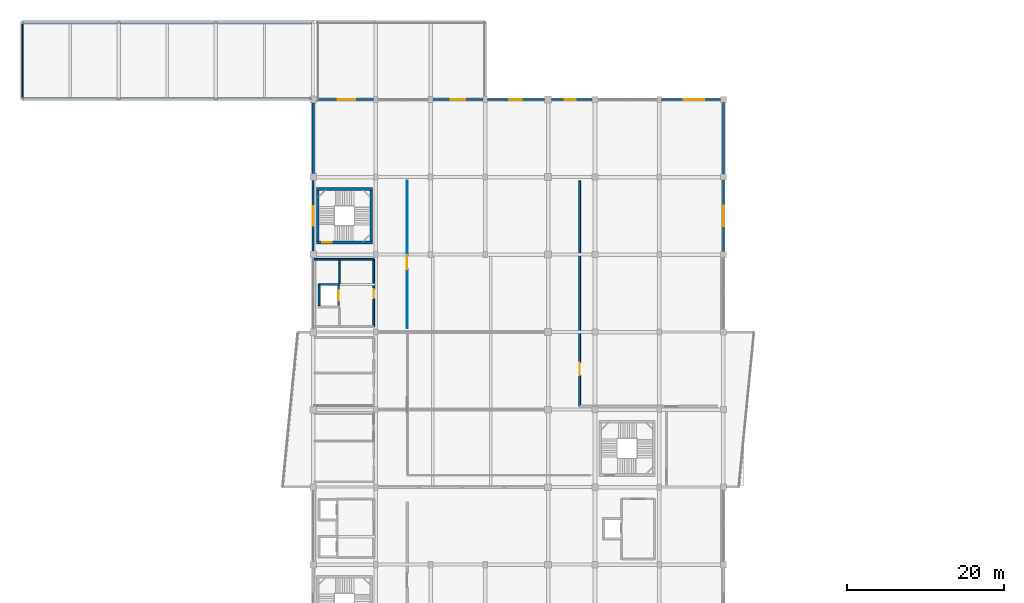
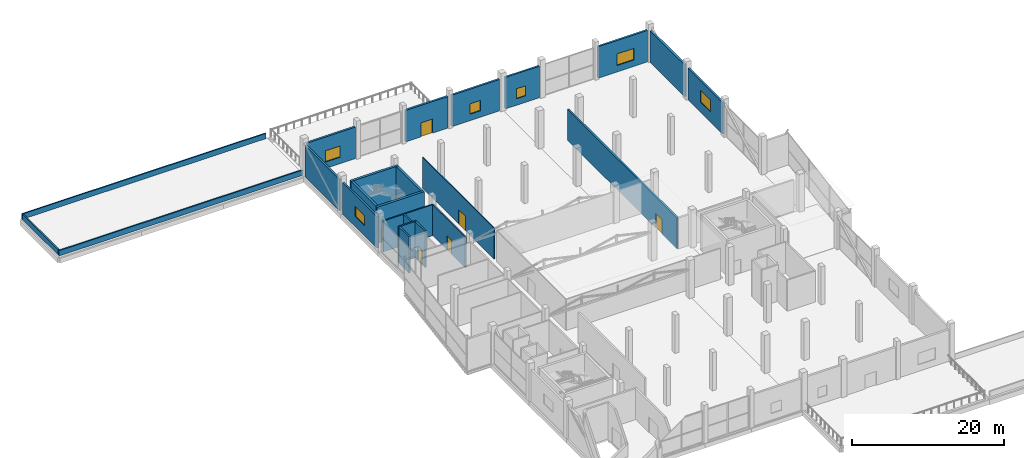
# One storey, part 41 of 58: 24 walls, 6 doors, 6 windows, 12 openings.
"""IFC4 building model written with IfcOpenShell, lengths in metres."""

from ifc_helpers import new_model, si_unit, direction, frame, frame_2d, origin, place, context, subcontext, project, spatial, rectangle, extrude, material, layer, layer_set, type_object, element, fill, save


model = new_model("IFC4")

# Units and contexts
model_context = context("Model", 3, precision=1e-05, world=origin(), true_north=direction((0.0, 1.0)))
body_context = subcontext(model_context, "Body", "Model", "MODEL_VIEW")
ifc_project = project(units=[si_unit("LENGTHUNIT", "METRE"), si_unit("AREAUNIT", "SQUARE_METRE"), si_unit("VOLUMEUNIT", "CUBIC_METRE"), si_unit("PLANEANGLEUNIT", "RADIAN"), si_unit("MASSUNIT", "GRAM", prefix="KILO")], contexts=[model_context])

# Site, building, storey
site_placement = place(None, origin())
site = spatial("IfcSite", under=ifc_project, at=site_placement, CompositionType="ELEMENT")
building_placement = place(site_placement, origin())
building = spatial("IfcBuilding", under=site, at=building_placement, Name="Sillaruma Civic Art Gallery", CompositionType="ELEMENT")
storey_placement = place(building_placement, frame((0.0, 0.0, 22.43994140625)))
storey = spatial("IfcBuildingStorey", under=building, at=storey_placement, Name="L04", CompositionType="ELEMENT", Elevation=22.43994140625)

# Wall, opening, door
ifc_material_1 = material(Name="Concrete H40 (40 MPa)", Category="concrete")
ifc_layer_1 = layer(ifc_material_1, 0.35009765625, Name="Concrete H40 (40 MPa)")
ifc_layer_set_1 = layer_set([ifc_layer_1], Name="Concrete H40 (40 MPa)")
wall_type_1 = type_object("IfcWallType", Name="WAL-CORE-350", PredefinedType="SHEAR", material=ifc_layer_set_1)
wall_1_placement = place(storey_placement, frame((62.409912109375, 80.735107421875, 0.0), z_axis=(0.0, 0.0, 1.0), x_axis=(1.0, 0.0, 0.0)))
wall_1 = element("IfcWall", 1, at=wall_1_placement, inside=storey, type_object=wall_type_1, Name="Stair Core Shear Wall W-CORE-350 (ST-02:L04:S)", PredefinedType="SHEAR", context=body_context, shape_type="SweptSolid", body=[
    extrude(rectangle(XDim=7.18017578125, YDim=0.35009765625, at=frame_2d((3.590087890625, 0.0))), origin(), (0.0, 0.0, 1.0), 5.840087890625),
])
opening_1_placement = place(wall_1_placement, frame((0.77001953125, 0.0, 0.0)))
opening_1 = element("IfcOpeningElement", 2, at=opening_1_placement, cuts=wall_1, Name="Opening D-STAIR", PredefinedType="OPENING", context=body_context, shape_type="SweptSolid", body=[
    extrude(rectangle(XDim=1.199951171875, YDim=2.199951171875, at=frame_2d((0.60009765625, 1.10009765625))), frame((0.0, 0.18505859375, 0.0), z_axis=(0.0, -1.0, 0.0), x_axis=(1.0, 0.0, 0.0)), (0.0, 0.0, 1.0), 0.3701171875),
])
ifc_material_2 = material(Name="Galvanised Steel ASTM A653 Gr.50", Category="steel")
door_type_1 = type_object("IfcDoorType", Name="DOR-STAIR-120", OperationType="NOTDEFINED", PredefinedType="DOOR", material=ifc_material_2)
door_1_placement = place(opening_1_placement, origin())
door_1 = element("IfcDoor", 3, at=door_1_placement, inside=storey, type_object=door_type_1, Name="Protected Stair Fire Door (ST-02:L04)", OperationType="SINGLE_SWING_RIGHT", OverallHeight=2.199951171875, OverallWidth=1.199951171875, PredefinedType="DOOR", context=body_context, shape_type="SweptSolid", body=[
    extrude(rectangle(XDim=1.199951171875, YDim=2.199951171875, at=frame_2d((0.60009765625, 1.10009765625))), frame((0.0, 0.02490234375, 0.0), z_axis=(0.0, -1.0, 0.0), x_axis=(1.0, 0.0, 0.0)), (0.0, 0.0, 1.0), 0.050048828125),
])
fill(opening_1, door_1)

# Walls
wall_2_placement = place(storey_placement, frame((62.409912109375, 87.56494140625, 0.0), z_axis=(0.0, 0.0, 1.0), x_axis=(1.0, 0.0, 0.0)))
element("IfcWall", 4, at=wall_2_placement, inside=storey, type_object=wall_type_1, Name="Stair Core Shear Wall W-CORE-350 (ST-02:L04:N)", PredefinedType="SHEAR", context=body_context, shape_type="SweptSolid", body=[
    extrude(rectangle(XDim=7.18017578125, YDim=0.35009765625, at=frame_2d((3.590087890625, 0.0))), origin(), (0.0, 0.0, 1.0), 5.840087890625),
])
for number, where, z_axis, x_axis, name in (
    (5, (62.5849609375, 80.909912109375, 0.0), (0.0, 0.0, 1.0), (0.0, 1.0, 0.0), "Stair Core Shear Wall W-CORE-350 (ST-02:L04:W)"),
    (6, (69.4150390625, 80.909912109375, 0.0), (0.0, 0.0, 1.0), (0.0, 1.0, 0.0), "Stair Core Shear Wall W-CORE-350 (ST-02:L04:E)"),
):
    element("IfcWall", number, at=place(storey_placement, frame(where, z_axis=z_axis, x_axis=x_axis)), inside=storey, type_object=wall_type_1, Name=name, PredefinedType="SHEAR", context=body_context, shape_type="SweptSolid", body=[
        extrude(rectangle(XDim=6.47998046875, YDim=0.35009765625, at=frame_2d((3.239990234375, 0.0))), origin(), (0.0, 0.0, 1.0), 5.840087890625),
    ])

# Wall, opening, window
ifc_material_3 = material(Name="Concrete H35 (35 MPa)", Category="concrete")
ifc_layer_2 = layer(ifc_material_3, 0.159912109375, Name="Concrete backup", Category="concrete")
ifc_material_4 = material(Name="Mineral Wool Thermal Insulation", Category="insulation")
ifc_layer_3 = layer(ifc_material_4, 0.090087890625, Name="Thermal insulation", Category="insulation")
ifc_material_5 = material(Name="Anodised Zinc-Aluminium Alloy", Category="aluminium")
ifc_layer_4 = layer(ifc_material_5, 0.030029296875, Name="Rainscreen finish", Category="aluminium")
ifc_layer_set_2 = layer_set([ifc_layer_2, ifc_layer_3, ifc_layer_4], Name="W-EXT-280")
wall_type_2 = type_object("IfcWallType", Name="WAL-EXT-280", PredefinedType="SOLIDWALL", material=ifc_layer_set_2)
wall_3_placement = place(storey_placement, frame((62.0, 79.625, 0.0), z_axis=(0.0, 0.0, 1.0), x_axis=(0.0, 1.0, 0.0)))
wall_3 = element("IfcWall", 7, at=wall_3_placement, inside=storey, type_object=wall_type_2, Name="Exterior Wall W-EXT-280 (EW-L04-W-7)", PredefinedType="SOLIDWALL", context=body_context, shape_type="SweptSolid", body=[
    extrude(rectangle(XDim=9.050048828125, YDim=0.280029296875, at=frame_2d((4.52490234375, 0.0))), origin(), (0.0, 0.0, 1.0), 5.06005859375),
])
opening_2_placement = place(wall_3_placement, frame((3.25, 0.0, 1.64990234375)))
opening_2 = element("IfcOpeningElement", 8, at=opening_2_placement, cuts=wall_3, Name="Opening WN-11", PredefinedType="OPENING", context=body_context, shape_type="SweptSolid", body=[
    extrude(rectangle(XDim=2.5, YDim=1.60009765625, at=frame_2d((1.25, 0.800048828125))), frame((0.0, 0.14990234375, 0.0), z_axis=(0.0, -1.0, 0.0), x_axis=(1.0, 0.0, 0.0)), (0.0, 0.0, 1.0), 0.300048828125),
])
ifc_material_6 = material(Name="Thermally Broken Extruded Aluminium 6063-T6", Category="aluminium")
window_type_1 = type_object("IfcWindowType", Name="WIN-W11", PartitioningType="SINGLE_PANEL", PredefinedType="WINDOW", material=ifc_material_6)
window_1_placement = place(opening_2_placement, origin())
window_1 = element("IfcWindow", 9, at=window_1_placement, inside=storey, type_object=window_type_1, Name="Window WN-11 (EW-L04-W-7-1)", OverallHeight=1.60009765625, OverallWidth=2.5, PartitioningType="SINGLE_PANEL", PredefinedType="WINDOW", context=body_context, shape_type="SweptSolid", body=[
    extrude(rectangle(XDim=2.5, YDim=1.60009765625, at=frame_2d((1.25, 0.800048828125))), frame((0.0, 0.030029296875, 0.0), z_axis=(0.0, -1.0, 0.0), x_axis=(1.0, 0.0, 0.0)), (0.0, 0.0, 1.0), 0.06005859375),
])
fill(opening_2, window_1)

wall_4_placement = place(storey_placement, frame((114.39990234375, 79.60009765625, 0.0), z_axis=(0.0, 0.0, 1.0), x_axis=(0.0, 1.0, 0.0)))
wall_4 = element("IfcWall", 10, at=wall_4_placement, inside=storey, type_object=wall_type_2, Name="Exterior Wall W-EXT-280 (EW-L04-E-7)", PredefinedType="SOLIDWALL", context=body_context, shape_type="SweptSolid", body=[
    extrude(rectangle(XDim=9.099853515625, YDim=0.280029296875, at=frame_2d((4.5498046875, 0.0))), origin(), (0.0, 0.0, 1.0), 5.06005859375),
])
opening_3_placement = place(wall_4_placement, frame((3.199951171875, 0.0, 1.64990234375)))
opening_3 = element("IfcOpeningElement", 11, at=opening_3_placement, cuts=wall_4, Name="Opening WN-08", PredefinedType="OPENING", context=body_context, shape_type="SweptSolid", body=[
    extrude(rectangle(XDim=2.60009765625, YDim=1.85009765625, at=frame_2d((1.300048828125, 0.925048828125))), frame((0.0, 0.14990234375, 0.0), z_axis=(0.0, -1.0, 0.0), x_axis=(1.0, 0.0, 0.0)), (0.0, 0.0, 1.0), 0.300048828125),
])
window_type_2 = type_object("IfcWindowType", Name="WIN-W08", PartitioningType="SINGLE_PANEL", PredefinedType="WINDOW", material=ifc_material_6)
window_2_placement = place(opening_3_placement, origin())
window_2 = element("IfcWindow", 12, at=window_2_placement, inside=storey, type_object=window_type_2, Name="Window WN-08 (EW-L04-E-7-1)", OverallHeight=1.85009765625, OverallWidth=2.60009765625, PartitioningType="SINGLE_PANEL", PredefinedType="WINDOW", context=body_context, shape_type="SweptSolid", body=[
    extrude(rectangle(XDim=2.60009765625, YDim=1.85009765625, at=frame_2d((1.300048828125, 0.925048828125))), frame((0.0, 0.030029296875, 0.0), z_axis=(0.0, -1.0, 0.0), x_axis=(1.0, 0.0, 0.0)), (0.0, 0.0, 1.0), 0.06005859375),
])
fill(opening_3, window_2)

ifc_layer_5 = layer(ifc_material_3, 0.169921875, Name="Concrete backup", Category="concrete")
ifc_layer_6 = layer(ifc_material_4, 0.090087890625, Name="Thermal insulation", Category="insulation")
ifc_layer_7 = layer(ifc_material_5, 0.030029296875, Name="Rainscreen finish", Category="aluminium")
ifc_layer_set_3 = layer_set([ifc_layer_5, ifc_layer_6, ifc_layer_7], Name="W-EXT-290")
wall_type_3 = type_object("IfcWallType", Name="WAL-EXT-290", PredefinedType="SOLIDWALL", material=ifc_layer_set_3)
wall_5_placement = place(storey_placement, frame((62.425048828125, 99.0, 0.0), z_axis=(0.0, 0.0, 1.0), x_axis=(1.0, 0.0, 0.0)))
wall_5 = element("IfcWall", 13, at=wall_5_placement, inside=storey, type_object=wall_type_3, Name="Exterior Wall W-EXT-290 (EW-L04-N-1)", PredefinedType="SOLIDWALL", context=body_context, shape_type="SweptSolid", body=[
    extrude(rectangle(XDim=7.27490234375, YDim=0.2900390625, at=frame_2d((3.637451171875, 0.0))), origin(), (0.0, 0.0, 1.0), 5.06005859375),
])
opening_4_placement = place(wall_5_placement, frame((2.738037109375, 0.0, 1.050048828125)))
opening_4 = element("IfcOpeningElement", 14, at=opening_4_placement, cuts=wall_5, Name="Opening WN-02", PredefinedType="OPENING", context=body_context, shape_type="SweptSolid", body=[
    extrude(rectangle(XDim=2.199951171875, YDim=1.800048828125, at=frame_2d((1.10009765625, 0.89990234375))), frame((0.0, 0.155029296875, 0.0), z_axis=(0.0, -1.0, 0.0), x_axis=(1.0, 0.0, 0.0)), (0.0, 0.0, 1.0), 0.31005859375),
])
window_type_3 = type_object("IfcWindowType", Name="WIN-W02", PartitioningType="SINGLE_PANEL", PredefinedType="WINDOW", material=ifc_material_6)
window_3_placement = place(opening_4_placement, origin())
window_3 = element("IfcWindow", 15, at=window_3_placement, inside=storey, type_object=window_type_3, Name="Window WN-02 (EW-L04-N-1-1)", OverallHeight=1.800048828125, OverallWidth=2.199951171875, PartitioningType="SINGLE_PANEL", PredefinedType="WINDOW", context=body_context, shape_type="SweptSolid", body=[
    extrude(rectangle(XDim=2.199951171875, YDim=1.800048828125, at=frame_2d((1.10009765625, 0.89990234375))), frame((0.0, 0.030029296875, 0.0), z_axis=(0.0, -1.0, 0.0), x_axis=(1.0, 0.0, 0.0)), (0.0, 0.0, 1.0), 0.06005859375),
])
fill(opening_4, window_3)

wall_6_placement = place(storey_placement, frame((84.300048828125, 99.0, 0.0), z_axis=(0.0, 0.0, 1.0), x_axis=(1.0, 0.0, 0.0)))
wall_6 = element("IfcWall", 16, at=wall_6_placement, inside=storey, type_object=wall_type_3, Name="Exterior Wall W-EXT-290 (EW-L04-N-4)", PredefinedType="SOLIDWALL", context=body_context, shape_type="SweptSolid", body=[
    extrude(rectangle(XDim=7.27490234375, YDim=0.2900390625, at=frame_2d((3.637451171875, 0.0))), origin(), (0.0, 0.0, 1.0), 5.06005859375),
])
opening_5_placement = place(wall_6_placement, frame((2.738037109375, 0.0, 1.050048828125)))
opening_5 = element("IfcOpeningElement", 17, at=opening_5_placement, cuts=wall_6, Name="Opening WN-05", PredefinedType="OPENING", context=body_context, shape_type="SweptSolid", body=[
    extrude(rectangle(XDim=1.60009765625, YDim=1.64990234375, at=frame_2d((0.800048828125, 0.824951171875))), frame((0.0, 0.155029296875, 0.0), z_axis=(0.0, -1.0, 0.0), x_axis=(1.0, 0.0, 0.0)), (0.0, 0.0, 1.0), 0.31005859375),
])
window_type_4 = type_object("IfcWindowType", Name="WIN-W05", PartitioningType="SINGLE_PANEL", PredefinedType="WINDOW", material=ifc_material_6)
window_4_placement = place(opening_5_placement, origin())
window_4 = element("IfcWindow", 18, at=window_4_placement, inside=storey, type_object=window_type_4, Name="Window WN-05 (EW-L04-N-4-1)", OverallHeight=1.64990234375, OverallWidth=1.60009765625, PartitioningType="SINGLE_PANEL", PredefinedType="WINDOW", context=body_context, shape_type="SweptSolid", body=[
    extrude(rectangle(XDim=1.60009765625, YDim=1.64990234375, at=frame_2d((0.800048828125, 0.824951171875))), frame((0.0, 0.030029296875, 0.0), z_axis=(0.0, -1.0, 0.0), x_axis=(1.0, 0.0, 0.0)), (0.0, 0.0, 1.0), 0.06005859375),
])
fill(opening_5, window_4)

wall_7_placement = place(storey_placement, frame((92.425048828125, 99.0, 0.0), z_axis=(0.0, 0.0, 1.0), x_axis=(1.0, 0.0, 0.0)))
wall_7 = element("IfcWall", 19, at=wall_7_placement, inside=storey, type_object=wall_type_3, Name="Exterior Wall W-EXT-290 (EW-L04-N-5)", PredefinedType="SOLIDWALL", context=body_context, shape_type="SweptSolid", body=[
    extrude(rectangle(XDim=5.175048828125, YDim=0.2900390625, at=frame_2d((2.58740234375, 0.0))), origin(), (0.0, 0.0, 1.0), 5.06005859375),
])
opening_6_placement = place(wall_7_placement, frame((1.68798828125, 0.0, 1.050048828125)))
opening_6 = element("IfcOpeningElement", 20, at=opening_6_placement, cuts=wall_7, Name="Opening WN-06", PredefinedType="OPENING", context=body_context, shape_type="SweptSolid", body=[
    extrude(rectangle(XDim=1.39990234375, YDim=1.60009765625, at=frame_2d((0.699951171875, 0.800048828125))), frame((0.0, 0.155029296875, 0.0), z_axis=(0.0, -1.0, 0.0), x_axis=(1.0, 0.0, 0.0)), (0.0, 0.0, 1.0), 0.31005859375),
])
window_type_5 = type_object("IfcWindowType", Name="WIN-W06", PartitioningType="SINGLE_PANEL", PredefinedType="WINDOW", material=ifc_material_6)
window_5_placement = place(opening_6_placement, origin())
window_5 = element("IfcWindow", 21, at=window_5_placement, inside=storey, type_object=window_type_5, Name="Window WN-06 (EW-L04-N-5-1)", OverallHeight=1.60009765625, OverallWidth=1.39990234375, PartitioningType="SINGLE_PANEL", PredefinedType="WINDOW", context=body_context, shape_type="SweptSolid", body=[
    extrude(rectangle(XDim=1.39990234375, YDim=1.60009765625, at=frame_2d((0.699951171875, 0.800048828125))), frame((0.0, 0.030029296875, 0.0), z_axis=(0.0, -1.0, 0.0), x_axis=(1.0, 0.0, 0.0)), (0.0, 0.0, 1.0), 0.06005859375),
])
fill(opening_6, window_5)

wall_8_placement = place(storey_placement, frame((106.5, 99.0, 0.0), z_axis=(0.0, 0.0, 1.0), x_axis=(1.0, 0.0, 0.0)))
wall_8 = element("IfcWall", 22, at=wall_8_placement, inside=storey, type_object=wall_type_3, Name="Exterior Wall W-EXT-290 (EW-L04-N-7)", PredefinedType="SOLIDWALL", context=body_context, shape_type="SweptSolid", body=[
    extrude(rectangle(XDim=7.5, YDim=0.2900390625, at=frame_2d((3.75, 0.0))), origin(), (0.0, 0.0, 1.0), 5.06005859375),
])
opening_7_placement = place(wall_8_placement, frame((2.85009765625, 0.0, 1.050048828125)))
opening_7 = element("IfcOpeningElement", 23, at=opening_7_placement, cuts=wall_8, Name="Opening WN-08", PredefinedType="OPENING", context=body_context, shape_type="SweptSolid", body=[
    extrude(rectangle(XDim=2.60009765625, YDim=1.85009765625, at=frame_2d((1.300048828125, 0.925048828125))), frame((0.0, 0.155029296875, 0.0), z_axis=(0.0, -1.0, 0.0), x_axis=(1.0, 0.0, 0.0)), (0.0, 0.0, 1.0), 0.31005859375),
])
window_6_placement = place(opening_7_placement, origin())
window_6 = element("IfcWindow", 24, at=window_6_placement, inside=storey, type_object=window_type_2, Name="Window WN-08 (EW-L04-N-7-1)", OverallHeight=1.85009765625, OverallWidth=2.60009765625, PartitioningType="SINGLE_PANEL", PredefinedType="WINDOW", context=body_context, shape_type="SweptSolid", body=[
    extrude(rectangle(XDim=2.60009765625, YDim=1.85009765625, at=frame_2d((1.300048828125, 0.925048828125))), frame((0.0, 0.030029296875, 0.0), z_axis=(0.0, -1.0, 0.0), x_axis=(1.0, 0.0, 0.0)), (0.0, 0.0, 1.0), 0.06005859375),
])
fill(opening_7, window_6)

# Walls
ifc_material_7 = material(Name="Precast Concrete H35 (35 MPa)", Category="concrete")
ifc_layer_8 = layer(ifc_material_7, 0.179931640625, Name="Precast backup", Category="concrete")
ifc_layer_9 = layer(ifc_material_4, 0.090087890625, Name="Thermal insulation", Category="insulation")
ifc_material_8 = material(Name="Comanche Granitic Ashlar Stone", Category="masonry")
ifc_layer_10 = layer(ifc_material_8, 0.030029296875, Name="Rainscreen cladding", Category="masonry")
ifc_layer_set_4 = layer_set([ifc_layer_8, ifc_layer_9, ifc_layer_10], Name="W-EXT-300")
wall_type_4 = type_object("IfcWallType", Name="WAL-EXT-300", PredefinedType="SOLIDWALL", material=ifc_layer_set_4)
wall_9_placement = place(storey_placement, frame((62.0, 89.52490234375, 0.0), z_axis=(0.0, 0.0, 1.0), x_axis=(0.0, 1.0, 0.0)))
element("IfcWall", 25, at=wall_9_placement, inside=storey, type_object=wall_type_4, Name="Exterior Wall W-EXT-300 (EW-L04-W-8)", PredefinedType="SOLIDWALL", context=body_context, shape_type="SweptSolid", body=[
    extrude(rectangle(XDim=9.050048828125, YDim=0.300048828125, at=frame_2d((4.52490234375, 0.0))), origin(), (0.0, 0.0, 1.0), 5.06005859375),
])
wall_10_placement = place(storey_placement, frame((114.39990234375, 89.5, 0.0), z_axis=(0.0, 0.0, 1.0), x_axis=(0.0, 1.0, 0.0)))
element("IfcWall", 26, at=wall_10_placement, inside=storey, type_object=wall_type_4, Name="Exterior Wall W-EXT-300 (EW-L04-E-8)", PredefinedType="SOLIDWALL", context=body_context, shape_type="SweptSolid", body=[
    extrude(rectangle(XDim=9.10009765625, YDim=0.300048828125, at=frame_2d((4.550048828125, 0.0))), origin(), (0.0, 0.0, 1.0), 5.06005859375),
])

# Wall, opening, door
wall_11_placement = place(storey_placement, frame((77.300048828125, 99.0, 0.0), z_axis=(0.0, 0.0, 1.0), x_axis=(1.0, 0.0, 0.0)))
wall_11 = element("IfcWall", 27, at=wall_11_placement, inside=storey, type_object=wall_type_4, Name="Exterior Wall W-EXT-300 (EW-L04-N-3)", PredefinedType="SOLIDWALL", context=body_context, shape_type="SweptSolid", body=[
    extrude(rectangle(XDim=6.39990234375, YDim=0.300048828125, at=frame_2d((3.199951171875, 0.0))), origin(), (0.0, 0.0, 1.0), 5.06005859375),
])
opening_8_placement = place(wall_11_placement, frame((2.300048828125, 0.0, 0.0)))
opening_8 = element("IfcOpeningElement", 28, at=opening_8_placement, cuts=wall_11, Name="Opening D-TER1", PredefinedType="OPENING", context=body_context, shape_type="SweptSolid", body=[
    extrude(rectangle(XDim=1.800048828125, YDim=2.25, at=frame_2d((0.89990234375, 1.125))), frame((0.0, 0.159912109375, 0.0), z_axis=(0.0, -1.0, 0.0), x_axis=(1.0, 0.0, 0.0)), (0.0, 0.0, 1.0), 0.320068359375),
])
door_type_2 = type_object("IfcDoorType", Name="DOR-TER-180", OperationType="NOTDEFINED", PredefinedType="DOOR", material=ifc_material_6)
door_2_placement = place(opening_8_placement, origin())
door_2 = element("IfcDoor", 29, at=door_2_placement, inside=storey, type_object=door_type_2, Name="L04 North Sculpture Terrace Door", OperationType="DOUBLE_DOOR_SINGLE_SWING", OverallHeight=2.25, OverallWidth=1.800048828125, PredefinedType="DOOR", context=body_context, shape_type="SweptSolid", body=[
    extrude(rectangle(XDim=1.800048828125, YDim=2.25, at=frame_2d((0.89990234375, 1.125))), frame((0.0, 0.02490234375, 0.0), z_axis=(0.0, -1.0, 0.0), x_axis=(1.0, 0.0, 0.0)), (0.0, 0.0, 1.0), 0.050048828125),
])
fill(opening_8, door_2)

# Walls
ifc_material_9 = material(Name="Concrete Masonry Unit Grade M15", Category="masonry")
ifc_layer_11 = layer(ifc_material_9, 0.199951171875, Name="Concrete Masonry Unit Grade M15")
ifc_layer_set_5 = layer_set([ifc_layer_11], Name="Concrete Masonry Unit Grade M15")
wall_type_5 = type_object("IfcWallType", Name="WAL-LOBBY-200", PredefinedType="SOLIDWALL", material=ifc_layer_set_5)
wall_12_placement = place(storey_placement, frame((62.14990234375, 78.60009765625, 0.0), z_axis=(0.0, 0.0, 1.0), x_axis=(1.0, 0.0, 0.0)))
element("IfcWall", 30, at=wall_12_placement, inside=storey, type_object=wall_type_5, Name="Interior Wall W-LOBBY-200 (L04-FFL)", PredefinedType="SOLIDWALL", context=body_context, shape_type="SweptSolid", body=[
    extrude(rectangle(XDim=7.60009765625, YDim=0.199951171875, at=frame_2d((3.800048828125, 0.0))), origin(), (0.0, 0.0, 1.0), 4.9599609375),
])
wall_13_placement = place(storey_placement, frame((65.35009765625, 75.5, 0.0), z_axis=(0.0, 0.0, 1.0), x_axis=(0.0, 1.0, 0.0)))
element("IfcWall", 31, at=wall_13_placement, inside=storey, type_object=wall_type_5, Name="Interior Wall W-LOBBY-200 (L04-FFL)", PredefinedType="SOLIDWALL", context=body_context, shape_type="SweptSolid", body=[
    extrude(rectangle(XDim=3.10009765625, YDim=0.199951171875, at=frame_2d((1.550048828125, 0.0))), origin(), (0.0, 0.0, 1.0), 4.9599609375),
])

# Wall, opening, door
wall_14_placement = place(storey_placement, frame((69.75, 70.0, 0.0), z_axis=(0.0, 0.0, 1.0), x_axis=(0.0, 1.0, 0.0)))
wall_14 = element("IfcWall", 32, at=wall_14_placement, inside=storey, type_object=wall_type_5, Name="Interior Wall W-LOBBY-200 (L04-FFL)", PredefinedType="SOLIDWALL", context=body_context, shape_type="SweptSolid", body=[
    extrude(rectangle(XDim=8.60009765625, YDim=0.199951171875, at=frame_2d((4.300048828125, 0.0))), origin(), (0.0, 0.0, 1.0), 4.9599609375),
])
opening_9_placement = place(wall_14_placement, frame((3.60009765625, 0.0, 0.0)))
opening_9 = element("IfcOpeningElement", 33, at=opening_9_placement, cuts=wall_14, Name="Opening D-FFL", PredefinedType="OPENING", context=body_context, shape_type="SweptSolid", body=[
    extrude(rectangle(XDim=1.199951171875, YDim=2.25, at=frame_2d((0.60009765625, 1.125))), frame((0.0, 0.10986328125, 0.0), z_axis=(0.0, -1.0, 0.0), x_axis=(1.0, 0.0, 0.0)), (0.0, 0.0, 1.0), 0.219970703125),
])
door_type_3 = type_object("IfcDoorType", Name="DOR-FFL-120", OperationType="NOTDEFINED", PredefinedType="DOOR", material=ifc_material_2)
door_3_placement = place(opening_9_placement, origin())
door_3 = element("IfcDoor", 34, at=door_3_placement, inside=storey, type_object=door_type_3, Name="Firefighting Lobby Door (D-FFL)", OperationType="SINGLE_SWING_LEFT", OverallHeight=2.25, OverallWidth=1.199951171875, PredefinedType="DOOR", context=body_context, shape_type="SweptSolid", body=[
    extrude(rectangle(XDim=1.199951171875, YDim=2.25, at=frame_2d((0.60009765625, 1.125))), frame((0.0, 0.02490234375, 0.0), z_axis=(0.0, -1.0, 0.0), x_axis=(1.0, 0.0, 0.0)), (0.0, 0.0, 1.0), 0.050048828125),
])
fill(opening_9, door_3)

# Walls
ifc_layer_12 = layer(ifc_material_3, 0.199951171875, Name="Concrete H35 (35 MPa)")
ifc_layer_set_6 = layer_set([ifc_layer_12], Name="Concrete H35 (35 MPa)")
wall_type_6 = type_object("IfcWallType", Name="WAL-PAR-200", PredefinedType="PARAPET", material=ifc_layer_set_6)
for number, where, z_axis, x_axis, name in (
    (35, (24.800048828125, 108.800048828125, 0.0), (0.0, 0.0, 1.0), (1.0, 0.0, 0.0), "Roof Parapet (L04-HH1-N)"),
    (36, (24.800048828125, 99.10009765625, 0.0), (0.0, 0.0, 1.0), (1.0, 0.0, 0.0), "Roof Parapet (L04-HH1-S)"),
):
    element("IfcWall", number, at=place(storey_placement, frame(where, z_axis=z_axis, x_axis=x_axis)), inside=storey, type_object=wall_type_6, Name=name, PredefinedType="PARAPET", context=body_context, shape_type="SweptSolid", body=[
        extrude(rectangle(XDim=37.0, YDim=0.199951171875, at=frame_2d((18.5, 0.0))), origin(), (0.0, 0.0, 1.0), 0.85009765625),
    ])
wall_15_placement = place(storey_placement, frame((24.89990234375, 99.300048828125, 0.0), z_axis=(0.0, 0.0, 1.0), x_axis=(0.0, 1.0, 0.0)))
element("IfcWall", 37, at=wall_15_placement, inside=storey, type_object=wall_type_6, Name="Roof Parapet (L04-HH1-W)", PredefinedType="PARAPET", context=body_context, shape_type="SweptSolid", body=[
    extrude(rectangle(XDim=9.300048828125, YDim=0.199951171875, at=frame_2d((4.64990234375, 0.0))), origin(), (0.0, 0.0, 1.0), 0.85009765625),
])

# Wall, opening, door
ifc_material_10 = material(Name="Gypsum Acoustic Board", Category="gypsum")
ifc_layer_13 = layer(ifc_material_10, 0.02490234375, Name="Finish board", Category="gypsum")
ifc_layer_14 = layer(ifc_material_4, 0.070068359375, Name="Acoustic core", Category="insulation")
ifc_material_11 = material(Name="Andean Oak Timber", Category="wood")
ifc_layer_15 = layer(ifc_material_11, 0.02490234375, Name="Gallery lining", Category="wood")
ifc_layer_set_7 = layer_set([ifc_layer_13, ifc_layer_14, ifc_layer_15], Name="W-PT-120")
wall_type_7 = type_object("IfcWallType", Name="WAL-PART-120", PredefinedType="PARTITIONING", material=ifc_layer_set_7)
wall_16_placement = place(storey_placement, frame((74.0, 69.800048828125, 0.0), z_axis=(0.0, 0.0, 1.0), x_axis=(0.0, 1.0, 0.0)))
wall_16 = element("IfcWall", 38, at=wall_16_placement, inside=storey, type_object=wall_type_7, Name="Interior Wall W-PT-120 (L04-CNS41)", PredefinedType="PARTITIONING", context=body_context, shape_type="SweptSolid", body=[
    extrude(rectangle(XDim=18.800048828125, YDim=0.1201171875, at=frame_2d((9.39990234375, 0.0))), origin(), (0.0, 0.0, 1.0), 4.9599609375),
])
opening_10_placement = place(wall_16_placement, frame((7.5, 0.0, 0.0)))
opening_10 = element("IfcOpeningElement", 39, at=opening_10_placement, cuts=wall_16, Name="Opening D-INT18", PredefinedType="OPENING", context=body_context, shape_type="SweptSolid", body=[
    extrude(rectangle(XDim=1.800048828125, YDim=2.300048828125, at=frame_2d((0.89990234375, 1.14990234375))), frame((0.0, 0.070068359375, 0.0), z_axis=(0.0, -1.0, 0.0), x_axis=(1.0, 0.0, 0.0)), (0.0, 0.0, 1.0), 0.14013671875),
])
door_type_4 = type_object("IfcDoorType", Name="DOR-INT-180", OperationType="NOTDEFINED", PredefinedType="DOOR", material=ifc_material_11)
door_4_placement = place(opening_10_placement, origin())
door_4 = element("IfcDoor", 40, at=door_4_placement, inside=storey, type_object=door_type_4, Name="Monumental Canvas Conservation Studio Door (D-INT18)", OperationType="DOUBLE_DOOR_SINGLE_SWING", OverallHeight=2.300048828125, OverallWidth=1.800048828125, PredefinedType="DOOR", context=body_context, shape_type="SweptSolid", body=[
    extrude(rectangle(XDim=1.800048828125, YDim=2.300048828125, at=frame_2d((0.89990234375, 1.14990234375))), frame((0.0, 0.02490234375, 0.0), z_axis=(0.0, -1.0, 0.0), x_axis=(1.0, 0.0, 0.0)), (0.0, 0.0, 1.0), 0.050048828125),
])
fill(opening_10, door_4)

# Walls
ifc_layer_16 = layer(ifc_material_1, 0.25, Name="Concrete H40 (40 MPa)")
ifc_layer_set_8 = layer_set([ifc_layer_16], Name="Concrete H40 (40 MPa)")
wall_type_8 = type_object("IfcWallType", Name="WAL-SHAFT-250", PredefinedType="SOLIDWALL", material=ifc_layer_set_8)
wall_17_placement = place(storey_placement, frame((62.64990234375, 75.375, 0.0), z_axis=(0.0, 0.0, 1.0), x_axis=(1.0, 0.0, 0.0)))
element("IfcWall", 41, at=wall_17_placement, inside=storey, type_object=wall_type_8, Name="Lift Shaft Wall W-SHAFT-250 (FFL-01:L04:N)", PredefinedType="SOLIDWALL", context=body_context, shape_type="SweptSolid", body=[
    extrude(rectangle(XDim=2.7001953125, YDim=0.25, at=frame_2d((1.35009765625, 0.0))), origin(), (0.0, 0.0, 1.0), 5.820068359375),
])
wall_18_placement = place(storey_placement, frame((62.77490234375, 72.64990234375, 0.0), z_axis=(0.0, 0.0, 1.0), x_axis=(0.0, 1.0, 0.0)))
element("IfcWall", 42, at=wall_18_placement, inside=storey, type_object=wall_type_8, Name="Lift Shaft Wall W-SHAFT-250 (FFL-01:L04:W)", PredefinedType="SOLIDWALL", context=body_context, shape_type="SweptSolid", body=[
    extrude(rectangle(XDim=2.60009765625, YDim=0.25, at=frame_2d((1.300048828125, 0.0))), origin(), (0.0, 0.0, 1.0), 5.820068359375),
])

# Wall, opening, door
wall_19_placement = place(storey_placement, frame((65.22509765625, 72.64990234375, 0.0), z_axis=(0.0, 0.0, 1.0), x_axis=(0.0, 1.0, 0.0)))
wall_19 = element("IfcWall", 43, at=wall_19_placement, inside=storey, type_object=wall_type_8, Name="Lift Shaft Wall W-SHAFT-250 (FFL-01:L04:E)", PredefinedType="SOLIDWALL", context=body_context, shape_type="SweptSolid", body=[
    extrude(rectangle(XDim=2.60009765625, YDim=0.25, at=frame_2d((1.300048828125, 0.0))), origin(), (0.0, 0.0, 1.0), 5.820068359375),
])
opening_11_placement = place(wall_19_placement, frame((0.675048828125, 0.0, 0.0)))
opening_11 = element("IfcOpeningElement", 44, at=opening_11_placement, cuts=wall_19, Name="Opening LD-02", PredefinedType="OPENING", context=body_context, shape_type="SweptSolid", body=[
    extrude(rectangle(XDim=1.25, YDim=2.199951171875, at=frame_2d((0.625, 1.10009765625))), frame((0.0, 0.135009765625, 0.0), z_axis=(0.0, -1.0, 0.0), x_axis=(1.0, 0.0, 0.0)), (0.0, 0.0, 1.0), 0.27001953125),
])
door_type_5 = type_object("IfcDoorType", Name="DOR-LD-02", OperationType="NOTDEFINED", PredefinedType="DOOR", material=ifc_material_2)
door_5_placement = place(opening_11_placement, origin())
door_5 = element("IfcDoor", 45, at=door_5_placement, inside=storey, type_object=door_type_5, Name="Lift Sliding Landing Door LD-02 (FFL-01:L04)", OperationType="DOUBLE_DOOR_SLIDING", OverallHeight=2.199951171875, OverallWidth=1.25, PredefinedType="DOOR", context=body_context, shape_type="SweptSolid", body=[
    extrude(rectangle(XDim=1.25, YDim=2.199951171875, at=frame_2d((0.625, 1.10009765625))), frame((0.0, 0.02490234375, 0.0), z_axis=(0.0, -1.0, 0.0), x_axis=(1.0, 0.0, 0.0)), (0.0, 0.0, 1.0), 0.050048828125),
])
fill(opening_11, door_5)

ifc_layer_17 = layer(ifc_material_9, 0.2548828125, Name="Concrete Masonry Unit Grade M15")
ifc_layer_set_9 = layer_set([ifc_layer_17], Name="Concrete Masonry Unit Grade M15")
wall_type_9 = type_object("IfcWallType", Name="WAL-STORE-250", PredefinedType="SOLIDWALL", material=ifc_layer_set_9)
wall_20_placement = place(storey_placement, frame((96.050048828125, 59.800048828125, 0.0), z_axis=(0.0, 0.0, 1.0), x_axis=(0.0, 1.0, 0.0)))
wall_20 = element("IfcWall", 46, at=wall_20_placement, inside=storey, type_object=wall_type_9, Name="Interior Wall W-STORE-250 (L04-STR41)", PredefinedType="SOLIDWALL", context=body_context, shape_type="SweptSolid", body=[
    extrude(rectangle(XDim=28.800048828125, YDim=0.2548828125, at=frame_2d((14.39990234375, 0.0))), origin(), (0.0, 0.0, 1.0), 4.9599609375),
])
opening_12_placement = place(wall_20_placement, frame((4.0, 0.0, 0.0)))
opening_12 = element("IfcOpeningElement", 47, at=opening_12_placement, cuts=wall_20, Name="Opening D-STR16", PredefinedType="OPENING", context=body_context, shape_type="SweptSolid", body=[
    extrude(rectangle(XDim=1.60009765625, YDim=2.300048828125, at=frame_2d((0.800048828125, 1.14990234375))), frame((0.0, 0.137451171875, 0.0), z_axis=(0.0, -1.0, 0.0), x_axis=(1.0, 0.0, 0.0)), (0.0, 0.0, 1.0), 0.27490234375),
])
door_type_6 = type_object("IfcDoorType", Name="DOR-STORE-160", OperationType="NOTDEFINED", PredefinedType="DOOR", material=ifc_material_2)
door_6_placement = place(opening_12_placement, origin())
door_6 = element("IfcDoor", 48, at=door_6_placement, inside=storey, type_object=door_type_6, Name="North-East Conservation Art Store Door (D-STR16)", OperationType="DOUBLE_DOOR_SINGLE_SWING", OverallHeight=2.300048828125, OverallWidth=1.60009765625, PredefinedType="DOOR", context=body_context, shape_type="SweptSolid", body=[
    extrude(rectangle(XDim=1.60009765625, YDim=2.300048828125, at=frame_2d((0.800048828125, 1.14990234375))), frame((0.0, 0.02490234375, 0.0), z_axis=(0.0, -1.0, 0.0), x_axis=(1.0, 0.0, 0.0)), (0.0, 0.0, 1.0), 0.050048828125),
])
fill(opening_12, door_6)

save(model, "model.ifc")
